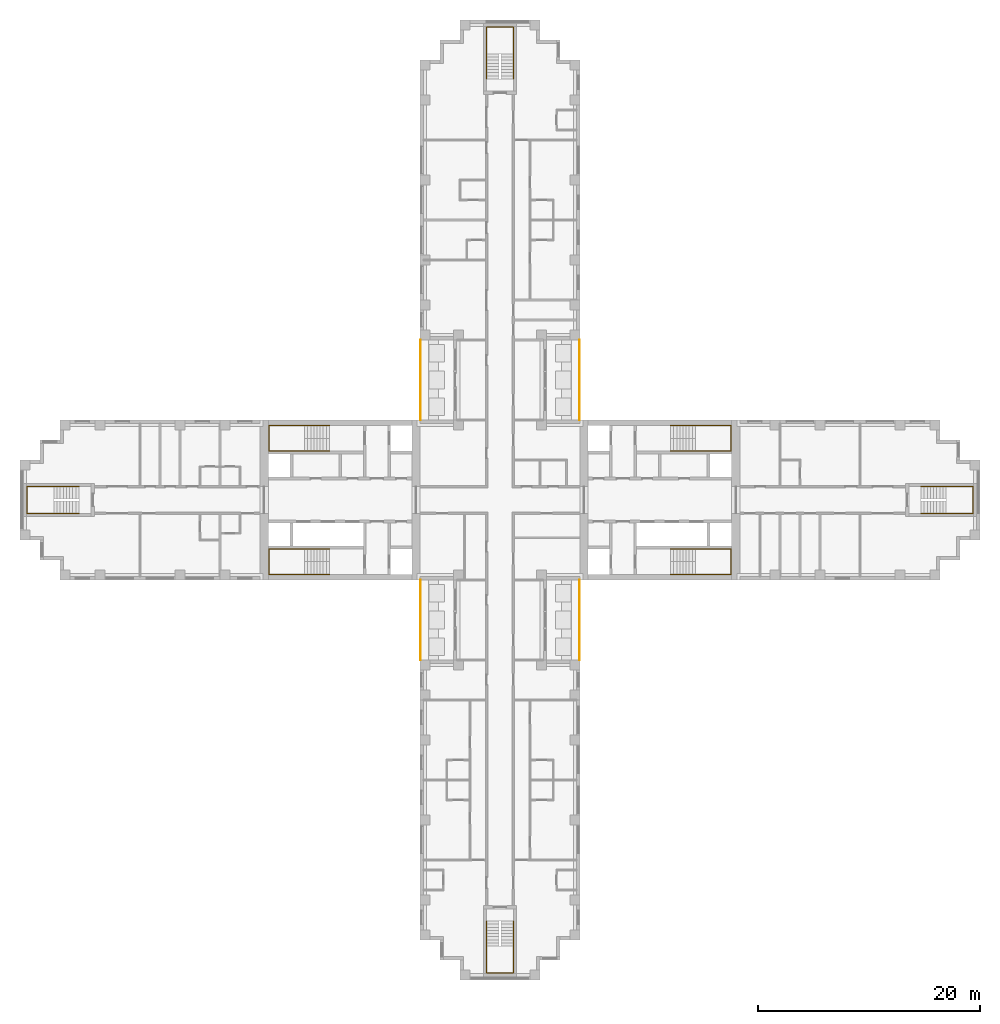
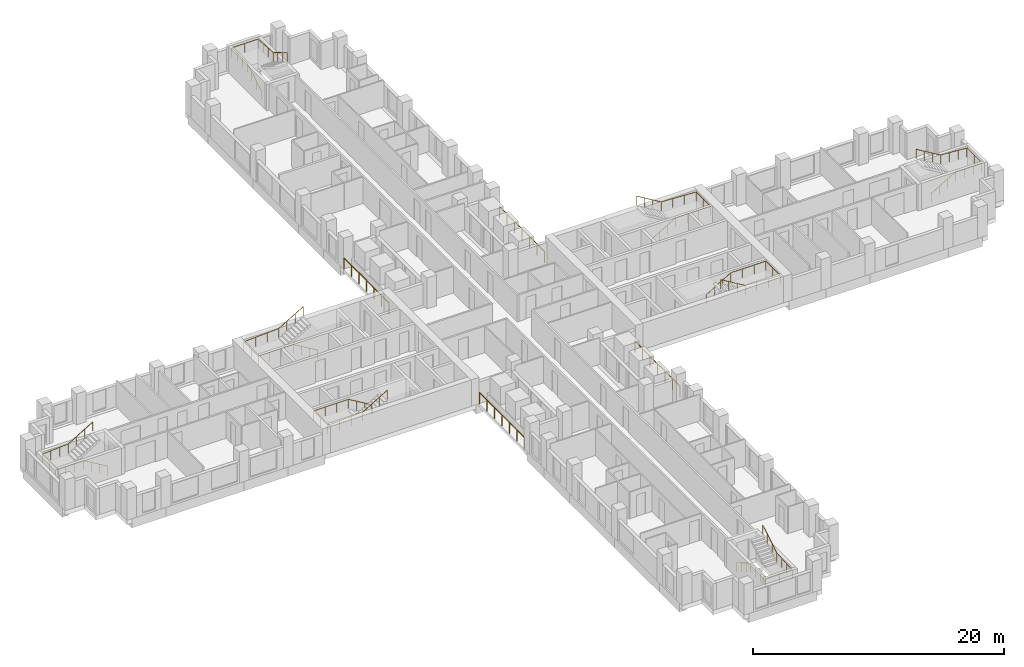
# One storey, part 14 of 15: 12 railings.
"""IFC4 building model written with IfcOpenShell, lengths in metres."""

from ifc_helpers import new_model, si_unit, direction, frame, origin, origin_2d, place, context, subcontext, project, spatial, circle, extrude, material, type_object, element, save


model = new_model("IFC4")

# Units and contexts
model_context = context("Model", 3, precision=1e-05, world=origin(), true_north=direction((0.0, 1.0)))
body_context = subcontext(model_context, "Body", "Model", "MODEL_VIEW")
ifc_project = project(units=[si_unit("LENGTHUNIT", "METRE"), si_unit("AREAUNIT", "SQUARE_METRE"), si_unit("VOLUMEUNIT", "CUBIC_METRE"), si_unit("PLANEANGLEUNIT", "RADIAN"), si_unit("MASSUNIT", "GRAM", prefix="KILO")], contexts=[model_context])

# Site, building, storey
site_placement = place(None, origin())
site = spatial("IfcSite", under=ifc_project, at=site_placement, CompositionType="ELEMENT")
building_placement = place(site_placement, origin())
building = spatial("IfcBuilding", under=site, at=building_placement, Name="Fustian Cross Tower", CompositionType="ELEMENT")
storey_placement = place(building_placement, frame((0.0, 0.0, 47.699951171875)))
storey = spatial("IfcBuildingStorey", under=building, at=storey_placement, Name="L14", CompositionType="ELEMENT", Elevation=47.699951171875)

# Railings
ifc_material_1 = material(Name="Stainless steel and glass", Category="steel")
railing_type_1 = type_object("IfcRailingType", Name="GR1 BALCONY GUARD 1100", PredefinedType="GUARDRAIL", material=ifc_material_1)
for number, where, name in (
    (1, (7.14990234375, 7.199951171875, 0.0), "Balcony guard"),
    (2, (-7.14990234375, 7.199951171875, 0.0), "Balcony guard"),
    (3, (7.14990234375, -14.39990234375, 0.0), "Balcony guard"),
    (4, (-7.14990234375, -14.39990234375, 0.0), "Balcony guard"),
):
    element("IfcRailing", number, at=place(storey_placement, frame(where)), inside=storey, type_object=railing_type_1, Name=name, PredefinedType="GUARDRAIL", context=body_context, shape_type="SweptSolid", body=[
        extrude(circle(Radius=0.02392578125, at=origin_2d()), frame((0.0, 0.0, 1.076171875), z_axis=(0.0, 1.0, 0.0), x_axis=(-1.0, 0.0, 0.0)), (0.0, 0.0, 1.0), 7.199951171875),
        extrude(circle(Radius=0.02099609375, at=origin_2d()), origin(), (0.0, 0.0, 1.0), 1.052001953125),
        extrude(circle(Radius=0.02099609375, at=origin_2d()), frame((0.0, 1.199951171875, 0.0)), (0.0, 0.0, 1.0), 1.052001953125),
        extrude(circle(Radius=0.02099609375, at=origin_2d()), frame((0.0, 2.39990234375, 0.0)), (0.0, 0.0, 1.0), 1.052001953125),
        extrude(circle(Radius=0.02099609375, at=origin_2d()), frame((0.0, 3.60009765625, 0.0)), (0.0, 0.0, 1.0), 1.052001953125),
        extrude(circle(Radius=0.02099609375, at=origin_2d()), frame((0.0, 4.800048828125, 0.0)), (0.0, 0.0, 1.0), 1.052001953125),
        extrude(circle(Radius=0.02099609375, at=origin_2d()), frame((0.0, 6.0, 0.0)), (0.0, 0.0, 1.0), 1.052001953125),
        extrude(circle(Radius=0.02099609375, at=origin_2d()), frame((0.0, 7.199951171875, 0.0)), (0.0, 0.0, 1.0), 1.052001953125),
    ])
ifc_material_2 = material(Name="Stainless steel", Category="steel")
railing_type_2 = type_object("IfcRailingType", Name="STAIR HANDRAIL", PredefinedType="HANDRAIL", material=ifc_material_2)
railing_1_placement = place(storey_placement, frame((15.35009765625, 4.39990234375, 0.166748046875)))
element("IfcRailing", 5, at=railing_1_placement, inside=storey, type_object=railing_type_2, Name="Stair ST1 handrail 1", PredefinedType="HANDRAIL", context=body_context, shape_type="SweptSolid", body=[
    extrude(circle(Radius=0.02490234375, at=origin_2d()), frame((0.0, 0.0, 0.875), z_axis=(0.859305625298, 0.0, 0.511462454469), x_axis=(0.0, 1.0, 0.0)), (0.0, 0.0, 1.0), 2.606689453125),
    extrude(circle(Radius=0.02490234375, at=origin_2d()), frame((2.239990234375, 0.0, 2.2080078125), z_axis=(1.0, 0.0, 0.0), x_axis=(0.0, 1.0, 0.0)), (0.0, 0.0, 1.0), 3.219970703125),
    extrude(circle(Radius=0.02490234375, at=origin_2d()), frame((5.4599609375, 0.0, 2.2080078125), z_axis=(0.0, 1.0, 0.0), x_axis=(-1.0, 0.0, 0.0)), (0.0, 0.0, 1.0), 2.300048828125),
    extrude(circle(Radius=0.02490234375, at=origin_2d()), frame((5.4599609375, 2.300048828125, 2.2080078125), z_axis=(-0.998661817807, 0.0, 0.051716280352), x_axis=(0.0, -1.0, 0.0)), (0.0, 0.0, 1.0), 3.224365234375),
    extrude(circle(Radius=0.02490234375, at=origin_2d()), frame((2.239990234375, 2.300048828125, 2.375), z_axis=(-0.859305625298, 0.0, 0.511462454469), x_axis=(0.0, -1.0, 0.0)), (0.0, 0.0, 1.0), 2.606689453125),
    extrude(circle(Radius=0.02001953125, at=origin_2d()), origin(), (0.0, 0.0, 1.0), 0.849853515625),
    extrude(circle(Radius=0.02001953125, at=origin_2d()), frame((0.74658203125, 0.0, 0.4443359375)), (0.0, 0.0, 1.0), 0.849853515625),
    extrude(circle(Radius=0.02001953125, at=origin_2d()), frame((1.493408203125, 0.0, 0.888916015625)), (0.0, 0.0, 1.0), 0.849853515625),
    extrude(circle(Radius=0.02001953125, at=origin_2d()), frame((2.239990234375, 0.0, 1.333251953125)), (0.0, 0.0, 1.0), 0.849853515625),
    extrude(circle(Radius=0.02001953125, at=origin_2d()), frame((3.313232421875, 0.0, 1.333251953125)), (0.0, 0.0, 1.0), 0.849853515625),
    extrude(circle(Radius=0.02001953125, at=origin_2d()), frame((4.38671875, 0.0, 1.333251953125)), (0.0, 0.0, 1.0), 0.849853515625),
    extrude(circle(Radius=0.02001953125, at=origin_2d()), frame((5.4599609375, 0.0, 1.333251953125)), (0.0, 0.0, 1.0), 0.849853515625),
    extrude(circle(Radius=0.02001953125, at=origin_2d()), frame((5.4599609375, 1.14990234375, 1.333251953125)), (0.0, 0.0, 1.0), 0.849853515625),
    extrude(circle(Radius=0.02001953125, at=origin_2d()), frame((5.4599609375, 2.300048828125, 1.333251953125)), (0.0, 0.0, 1.0), 0.849853515625),
    extrude(circle(Radius=0.02001953125, at=origin_2d()), frame((4.38671875, 2.300048828125, 1.388916015625)), (0.0, 0.0, 1.0), 0.849853515625),
    extrude(circle(Radius=0.02001953125, at=origin_2d()), frame((3.313232421875, 2.300048828125, 1.4443359375)), (0.0, 0.0, 1.0), 0.849853515625),
    extrude(circle(Radius=0.02001953125, at=origin_2d()), frame((2.239990234375, 2.300048828125, 1.5)), (0.0, 0.0, 1.0), 0.849853515625),
    extrude(circle(Radius=0.02001953125, at=origin_2d()), frame((1.493408203125, 2.300048828125, 1.9443359375)), (0.0, 0.0, 1.0), 0.849853515625),
    extrude(circle(Radius=0.02001953125, at=origin_2d()), frame((0.74658203125, 2.300048828125, 2.388916015625)), (0.0, 0.0, 1.0), 0.849853515625),
    extrude(circle(Radius=0.02001953125, at=origin_2d()), frame((0.0, 2.300048828125, 2.833251953125)), (0.0, 0.0, 1.0), 0.849853515625),
])
railing_2_placement = place(storey_placement, frame((15.35009765625, -4.39990234375, 0.166748046875)))
element("IfcRailing", 6, at=railing_2_placement, inside=storey, type_object=railing_type_2, Name="Stair ST2 handrail 1", PredefinedType="HANDRAIL", context=body_context, shape_type="SweptSolid", body=[
    extrude(circle(Radius=0.02490234375, at=origin_2d()), frame((0.0, 0.0, 0.875), z_axis=(0.859305625298, 0.0, 0.511462454469), x_axis=(0.0, 1.0, 0.0)), (0.0, 0.0, 1.0), 2.606689453125),
    extrude(circle(Radius=0.02490234375, at=origin_2d()), frame((2.239990234375, 0.0, 2.2080078125), z_axis=(1.0, 0.0, 0.0), x_axis=(0.0, 1.0, 0.0)), (0.0, 0.0, 1.0), 3.219970703125),
    extrude(circle(Radius=0.02490234375, at=origin_2d()), frame((5.4599609375, 0.0, 2.2080078125), z_axis=(0.0, -1.0, 0.0), x_axis=(1.0, 0.0, 0.0)), (0.0, 0.0, 1.0), 2.300048828125),
    extrude(circle(Radius=0.02490234375, at=origin_2d()), frame((5.4599609375, -2.300048828125, 2.2080078125), z_axis=(-0.998661817807, 0.0, 0.051716280352), x_axis=(0.0, -1.0, 0.0)), (0.0, 0.0, 1.0), 3.224365234375),
    extrude(circle(Radius=0.02490234375, at=origin_2d()), frame((2.239990234375, -2.300048828125, 2.375), z_axis=(-0.859305625298, 0.0, 0.511462454469), x_axis=(0.0, -1.0, 0.0)), (0.0, 0.0, 1.0), 2.606689453125),
    extrude(circle(Radius=0.02001953125, at=origin_2d()), origin(), (0.0, 0.0, 1.0), 0.849853515625),
    extrude(circle(Radius=0.02001953125, at=origin_2d()), frame((0.74658203125, 0.0, 0.4443359375)), (0.0, 0.0, 1.0), 0.849853515625),
    extrude(circle(Radius=0.02001953125, at=origin_2d()), frame((1.493408203125, 0.0, 0.888916015625)), (0.0, 0.0, 1.0), 0.849853515625),
    extrude(circle(Radius=0.02001953125, at=origin_2d()), frame((2.239990234375, 0.0, 1.333251953125)), (0.0, 0.0, 1.0), 0.849853515625),
    extrude(circle(Radius=0.02001953125, at=origin_2d()), frame((3.313232421875, 0.0, 1.333251953125)), (0.0, 0.0, 1.0), 0.849853515625),
    extrude(circle(Radius=0.02001953125, at=origin_2d()), frame((4.38671875, 0.0, 1.333251953125)), (0.0, 0.0, 1.0), 0.849853515625),
    extrude(circle(Radius=0.02001953125, at=origin_2d()), frame((5.4599609375, 0.0, 1.333251953125)), (0.0, 0.0, 1.0), 0.849853515625),
    extrude(circle(Radius=0.02001953125, at=origin_2d()), frame((5.4599609375, -1.14990234375, 1.333251953125)), (0.0, 0.0, 1.0), 0.849853515625),
    extrude(circle(Radius=0.02001953125, at=origin_2d()), frame((5.4599609375, -2.300048828125, 1.333251953125)), (0.0, 0.0, 1.0), 0.849853515625),
    extrude(circle(Radius=0.02001953125, at=origin_2d()), frame((4.38671875, -2.300048828125, 1.388916015625)), (0.0, 0.0, 1.0), 0.849853515625),
    extrude(circle(Radius=0.02001953125, at=origin_2d()), frame((3.313232421875, -2.300048828125, 1.4443359375)), (0.0, 0.0, 1.0), 0.849853515625),
    extrude(circle(Radius=0.02001953125, at=origin_2d()), frame((2.239990234375, -2.300048828125, 1.5)), (0.0, 0.0, 1.0), 0.849853515625),
    extrude(circle(Radius=0.02001953125, at=origin_2d()), frame((1.493408203125, -2.300048828125, 1.9443359375)), (0.0, 0.0, 1.0), 0.849853515625),
    extrude(circle(Radius=0.02001953125, at=origin_2d()), frame((0.74658203125, -2.300048828125, 2.388916015625)), (0.0, 0.0, 1.0), 0.849853515625),
    extrude(circle(Radius=0.02001953125, at=origin_2d()), frame((0.0, -2.300048828125, 2.833251953125)), (0.0, 0.0, 1.0), 0.849853515625),
])
railing_3_placement = place(storey_placement, frame((-15.35009765625, 4.39990234375, 0.166748046875)))
element("IfcRailing", 7, at=railing_3_placement, inside=storey, type_object=railing_type_2, Name="Stair ST3 handrail 1", PredefinedType="HANDRAIL", context=body_context, shape_type="SweptSolid", body=[
    extrude(circle(Radius=0.02490234375, at=origin_2d()), frame((0.0, 0.0, 0.875), z_axis=(-0.859305625298, 0.0, 0.511462454469), x_axis=(0.0, -1.0, 0.0)), (0.0, 0.0, 1.0), 2.606689453125),
    extrude(circle(Radius=0.02490234375, at=origin_2d()), frame((-2.239990234375, 0.0, 2.2080078125), z_axis=(-1.0, 0.0, 0.0), x_axis=(0.0, -1.0, 0.0)), (0.0, 0.0, 1.0), 3.219970703125),
    extrude(circle(Radius=0.02490234375, at=origin_2d()), frame((-5.4599609375, 0.0, 2.2080078125), z_axis=(0.0, 1.0, 0.0), x_axis=(-1.0, 0.0, 0.0)), (0.0, 0.0, 1.0), 2.300048828125),
    extrude(circle(Radius=0.02490234375, at=origin_2d()), frame((-5.4599609375, 2.300048828125, 2.2080078125), z_axis=(0.998661817807, 0.0, 0.051716280352), x_axis=(0.0, 1.0, 0.0)), (0.0, 0.0, 1.0), 3.224365234375),
    extrude(circle(Radius=0.02490234375, at=origin_2d()), frame((-2.239990234375, 2.300048828125, 2.375), z_axis=(0.859305625298, 0.0, 0.511462454469), x_axis=(0.0, 1.0, 0.0)), (0.0, 0.0, 1.0), 2.606689453125),
    extrude(circle(Radius=0.02001953125, at=origin_2d()), origin(), (0.0, 0.0, 1.0), 0.849853515625),
    extrude(circle(Radius=0.02001953125, at=origin_2d()), frame((-0.74658203125, 0.0, 0.4443359375)), (0.0, 0.0, 1.0), 0.849853515625),
    extrude(circle(Radius=0.02001953125, at=origin_2d()), frame((-1.493408203125, 0.0, 0.888916015625)), (0.0, 0.0, 1.0), 0.849853515625),
    extrude(circle(Radius=0.02001953125, at=origin_2d()), frame((-2.239990234375, 0.0, 1.333251953125)), (0.0, 0.0, 1.0), 0.849853515625),
    extrude(circle(Radius=0.02001953125, at=origin_2d()), frame((-3.313232421875, 0.0, 1.333251953125)), (0.0, 0.0, 1.0), 0.849853515625),
    extrude(circle(Radius=0.02001953125, at=origin_2d()), frame((-4.38671875, 0.0, 1.333251953125)), (0.0, 0.0, 1.0), 0.849853515625),
    extrude(circle(Radius=0.02001953125, at=origin_2d()), frame((-5.4599609375, 0.0, 1.333251953125)), (0.0, 0.0, 1.0), 0.849853515625),
    extrude(circle(Radius=0.02001953125, at=origin_2d()), frame((-5.4599609375, 1.14990234375, 1.333251953125)), (0.0, 0.0, 1.0), 0.849853515625),
    extrude(circle(Radius=0.02001953125, at=origin_2d()), frame((-5.4599609375, 2.300048828125, 1.333251953125)), (0.0, 0.0, 1.0), 0.849853515625),
    extrude(circle(Radius=0.02001953125, at=origin_2d()), frame((-4.38671875, 2.300048828125, 1.388916015625)), (0.0, 0.0, 1.0), 0.849853515625),
    extrude(circle(Radius=0.02001953125, at=origin_2d()), frame((-3.313232421875, 2.300048828125, 1.4443359375)), (0.0, 0.0, 1.0), 0.849853515625),
    extrude(circle(Radius=0.02001953125, at=origin_2d()), frame((-2.239990234375, 2.300048828125, 1.5)), (0.0, 0.0, 1.0), 0.849853515625),
    extrude(circle(Radius=0.02001953125, at=origin_2d()), frame((-1.493408203125, 2.300048828125, 1.9443359375)), (0.0, 0.0, 1.0), 0.849853515625),
    extrude(circle(Radius=0.02001953125, at=origin_2d()), frame((-0.74658203125, 2.300048828125, 2.388916015625)), (0.0, 0.0, 1.0), 0.849853515625),
    extrude(circle(Radius=0.02001953125, at=origin_2d()), frame((0.0, 2.300048828125, 2.833251953125)), (0.0, 0.0, 1.0), 0.849853515625),
])
railing_4_placement = place(storey_placement, frame((-15.35009765625, -4.39990234375, 0.166748046875)))
element("IfcRailing", 8, at=railing_4_placement, inside=storey, type_object=railing_type_2, Name="Stair ST4 handrail 1", PredefinedType="HANDRAIL", context=body_context, shape_type="SweptSolid", body=[
    extrude(circle(Radius=0.02490234375, at=origin_2d()), frame((0.0, 0.0, 0.875), z_axis=(-0.859305625298, 0.0, 0.511462454469), x_axis=(0.0, -1.0, 0.0)), (0.0, 0.0, 1.0), 2.606689453125),
    extrude(circle(Radius=0.02490234375, at=origin_2d()), frame((-2.239990234375, 0.0, 2.2080078125), z_axis=(-1.0, 0.0, 0.0), x_axis=(0.0, -1.0, 0.0)), (0.0, 0.0, 1.0), 3.219970703125),
    extrude(circle(Radius=0.02490234375, at=origin_2d()), frame((-5.4599609375, 0.0, 2.2080078125), z_axis=(0.0, -1.0, 0.0), x_axis=(1.0, 0.0, 0.0)), (0.0, 0.0, 1.0), 2.300048828125),
    extrude(circle(Radius=0.02490234375, at=origin_2d()), frame((-5.4599609375, -2.300048828125, 2.2080078125), z_axis=(0.998661817807, 0.0, 0.051716280352), x_axis=(0.0, 1.0, 0.0)), (0.0, 0.0, 1.0), 3.224365234375),
    extrude(circle(Radius=0.02490234375, at=origin_2d()), frame((-2.239990234375, -2.300048828125, 2.375), z_axis=(0.859305625298, 0.0, 0.511462454469), x_axis=(0.0, 1.0, 0.0)), (0.0, 0.0, 1.0), 2.606689453125),
    extrude(circle(Radius=0.02001953125, at=origin_2d()), origin(), (0.0, 0.0, 1.0), 0.849853515625),
    extrude(circle(Radius=0.02001953125, at=origin_2d()), frame((-0.74658203125, 0.0, 0.4443359375)), (0.0, 0.0, 1.0), 0.849853515625),
    extrude(circle(Radius=0.02001953125, at=origin_2d()), frame((-1.493408203125, 0.0, 0.888916015625)), (0.0, 0.0, 1.0), 0.849853515625),
    extrude(circle(Radius=0.02001953125, at=origin_2d()), frame((-2.239990234375, 0.0, 1.333251953125)), (0.0, 0.0, 1.0), 0.849853515625),
    extrude(circle(Radius=0.02001953125, at=origin_2d()), frame((-3.313232421875, 0.0, 1.333251953125)), (0.0, 0.0, 1.0), 0.849853515625),
    extrude(circle(Radius=0.02001953125, at=origin_2d()), frame((-4.38671875, 0.0, 1.333251953125)), (0.0, 0.0, 1.0), 0.849853515625),
    extrude(circle(Radius=0.02001953125, at=origin_2d()), frame((-5.4599609375, 0.0, 1.333251953125)), (0.0, 0.0, 1.0), 0.849853515625),
    extrude(circle(Radius=0.02001953125, at=origin_2d()), frame((-5.4599609375, -1.14990234375, 1.333251953125)), (0.0, 0.0, 1.0), 0.849853515625),
    extrude(circle(Radius=0.02001953125, at=origin_2d()), frame((-5.4599609375, -2.300048828125, 1.333251953125)), (0.0, 0.0, 1.0), 0.849853515625),
    extrude(circle(Radius=0.02001953125, at=origin_2d()), frame((-4.38671875, -2.300048828125, 1.388916015625)), (0.0, 0.0, 1.0), 0.849853515625),
    extrude(circle(Radius=0.02001953125, at=origin_2d()), frame((-3.313232421875, -2.300048828125, 1.4443359375)), (0.0, 0.0, 1.0), 0.849853515625),
    extrude(circle(Radius=0.02001953125, at=origin_2d()), frame((-2.239990234375, -2.300048828125, 1.5)), (0.0, 0.0, 1.0), 0.849853515625),
    extrude(circle(Radius=0.02001953125, at=origin_2d()), frame((-1.493408203125, -2.300048828125, 1.9443359375)), (0.0, 0.0, 1.0), 0.849853515625),
    extrude(circle(Radius=0.02001953125, at=origin_2d()), frame((-0.74658203125, -2.300048828125, 2.388916015625)), (0.0, 0.0, 1.0), 0.849853515625),
    extrude(circle(Radius=0.02001953125, at=origin_2d()), frame((0.0, -2.300048828125, 2.833251953125)), (0.0, 0.0, 1.0), 0.849853515625),
])
railing_5_placement = place(storey_placement, frame((-1.199951171875, 37.89990234375, 0.166748046875)))
element("IfcRailing", 9, at=railing_5_placement, inside=storey, type_object=railing_type_2, Name="Stair ST5 handrail 1", PredefinedType="HANDRAIL", context=body_context, shape_type="SweptSolid", body=[
    extrude(circle(Radius=0.02490234375, at=origin_2d()), frame((0.0, 0.0, 0.875), z_axis=(0.0, 0.859305625298, 0.511462454469), x_axis=(-1.0, 0.0, 0.0)), (0.0, 0.0, 1.0), 2.606689453125),
    extrude(circle(Radius=0.02490234375, at=origin_2d()), frame((0.0, 2.239990234375, 2.2080078125), z_axis=(0.0, 1.0, 0.0), x_axis=(-1.0, 0.0, 0.0)), (0.0, 0.0, 1.0), 2.420166015625),
    extrude(circle(Radius=0.02490234375, at=origin_2d()), frame((0.0, 4.66015625, 2.2080078125), z_axis=(1.0, 0.0, 0.0), x_axis=(0.0, 1.0, 0.0)), (0.0, 0.0, 1.0), 2.39990234375),
    extrude(circle(Radius=0.02490234375, at=origin_2d()), frame((2.39990234375, 4.66015625, 2.2080078125), z_axis=(0.0, -0.997634852044, 0.068736467663), x_axis=(1.0, 0.0, 0.0)), (0.0, 0.0, 1.0), 2.426025390625),
    extrude(circle(Radius=0.02490234375, at=origin_2d()), frame((2.39990234375, 2.239990234375, 2.375), z_axis=(0.0, -0.859305625298, 0.511462454469), x_axis=(1.0, 0.0, 0.0)), (0.0, 0.0, 1.0), 2.606689453125),
    extrude(circle(Radius=0.02001953125, at=origin_2d()), origin(), (0.0, 0.0, 1.0), 0.849853515625),
    extrude(circle(Radius=0.02001953125, at=origin_2d()), frame((0.0, 0.74658203125, 0.4443359375)), (0.0, 0.0, 1.0), 0.849853515625),
    extrude(circle(Radius=0.02001953125, at=origin_2d()), frame((0.0, 1.493408203125, 0.888916015625)), (0.0, 0.0, 1.0), 0.849853515625),
    extrude(circle(Radius=0.02001953125, at=origin_2d()), frame((0.0, 2.239990234375, 1.333251953125)), (0.0, 0.0, 1.0), 0.849853515625),
    extrude(circle(Radius=0.02001953125, at=origin_2d()), frame((0.0, 3.046630859375, 1.333251953125)), (0.0, 0.0, 1.0), 0.849853515625),
    extrude(circle(Radius=0.02001953125, at=origin_2d()), frame((0.0, 3.853515625, 1.333251953125)), (0.0, 0.0, 1.0), 0.849853515625),
    extrude(circle(Radius=0.02001953125, at=origin_2d()), frame((0.0, 4.66015625, 1.333251953125)), (0.0, 0.0, 1.0), 0.849853515625),
    extrude(circle(Radius=0.02001953125, at=origin_2d()), frame((1.199951171875, 4.66015625, 1.333251953125)), (0.0, 0.0, 1.0), 0.849853515625),
    extrude(circle(Radius=0.02001953125, at=origin_2d()), frame((2.39990234375, 4.66015625, 1.333251953125)), (0.0, 0.0, 1.0), 0.849853515625),
    extrude(circle(Radius=0.02001953125, at=origin_2d()), frame((2.39990234375, 3.853515625, 1.388916015625)), (0.0, 0.0, 1.0), 0.849853515625),
    extrude(circle(Radius=0.02001953125, at=origin_2d()), frame((2.39990234375, 3.046630859375, 1.4443359375)), (0.0, 0.0, 1.0), 0.849853515625),
    extrude(circle(Radius=0.02001953125, at=origin_2d()), frame((2.39990234375, 2.239990234375, 1.5)), (0.0, 0.0, 1.0), 0.849853515625),
    extrude(circle(Radius=0.02001953125, at=origin_2d()), frame((2.39990234375, 1.493408203125, 1.9443359375)), (0.0, 0.0, 1.0), 0.849853515625),
    extrude(circle(Radius=0.02001953125, at=origin_2d()), frame((2.39990234375, 0.74658203125, 2.388916015625)), (0.0, 0.0, 1.0), 0.849853515625),
    extrude(circle(Radius=0.02001953125, at=origin_2d()), frame((2.39990234375, 0.0, 2.833251953125)), (0.0, 0.0, 1.0), 0.849853515625),
])
railing_6_placement = place(storey_placement, frame((-1.199951171875, -37.89990234375, 0.166748046875)))
element("IfcRailing", 10, at=railing_6_placement, inside=storey, type_object=railing_type_2, Name="Stair ST6 handrail 1", PredefinedType="HANDRAIL", context=body_context, shape_type="SweptSolid", body=[
    extrude(circle(Radius=0.02490234375, at=origin_2d()), frame((0.0, 0.0, 0.875), z_axis=(0.0, -0.859305625298, 0.511462454469), x_axis=(1.0, 0.0, 0.0)), (0.0, 0.0, 1.0), 2.606689453125),
    extrude(circle(Radius=0.02490234375, at=origin_2d()), frame((0.0, -2.239990234375, 2.2080078125), z_axis=(0.0, -1.0, 0.0), x_axis=(1.0, 0.0, 0.0)), (0.0, 0.0, 1.0), 2.420166015625),
    extrude(circle(Radius=0.02490234375, at=origin_2d()), frame((0.0, -4.66015625, 2.2080078125), z_axis=(1.0, 0.0, 0.0), x_axis=(0.0, 1.0, 0.0)), (0.0, 0.0, 1.0), 2.39990234375),
    extrude(circle(Radius=0.02490234375, at=origin_2d()), frame((2.39990234375, -4.66015625, 2.2080078125), z_axis=(0.0, 0.997634852044, 0.068736467663), x_axis=(-1.0, 0.0, 0.0)), (0.0, 0.0, 1.0), 2.426025390625),
    extrude(circle(Radius=0.02490234375, at=origin_2d()), frame((2.39990234375, -2.239990234375, 2.375), z_axis=(0.0, 0.859305625298, 0.511462454469), x_axis=(-1.0, 0.0, 0.0)), (0.0, 0.0, 1.0), 2.606689453125),
    extrude(circle(Radius=0.02001953125, at=origin_2d()), origin(), (0.0, 0.0, 1.0), 0.849853515625),
    extrude(circle(Radius=0.02001953125, at=origin_2d()), frame((0.0, -0.74658203125, 0.4443359375)), (0.0, 0.0, 1.0), 0.849853515625),
    extrude(circle(Radius=0.02001953125, at=origin_2d()), frame((0.0, -1.493408203125, 0.888916015625)), (0.0, 0.0, 1.0), 0.849853515625),
    extrude(circle(Radius=0.02001953125, at=origin_2d()), frame((0.0, -2.239990234375, 1.333251953125)), (0.0, 0.0, 1.0), 0.849853515625),
    extrude(circle(Radius=0.02001953125, at=origin_2d()), frame((0.0, -3.046630859375, 1.333251953125)), (0.0, 0.0, 1.0), 0.849853515625),
    extrude(circle(Radius=0.02001953125, at=origin_2d()), frame((0.0, -3.853515625, 1.333251953125)), (0.0, 0.0, 1.0), 0.849853515625),
    extrude(circle(Radius=0.02001953125, at=origin_2d()), frame((0.0, -4.66015625, 1.333251953125)), (0.0, 0.0, 1.0), 0.849853515625),
    extrude(circle(Radius=0.02001953125, at=origin_2d()), frame((1.199951171875, -4.66015625, 1.333251953125)), (0.0, 0.0, 1.0), 0.849853515625),
    extrude(circle(Radius=0.02001953125, at=origin_2d()), frame((2.39990234375, -4.66015625, 1.333251953125)), (0.0, 0.0, 1.0), 0.849853515625),
    extrude(circle(Radius=0.02001953125, at=origin_2d()), frame((2.39990234375, -3.853515625, 1.388916015625)), (0.0, 0.0, 1.0), 0.849853515625),
    extrude(circle(Radius=0.02001953125, at=origin_2d()), frame((2.39990234375, -3.046630859375, 1.4443359375)), (0.0, 0.0, 1.0), 0.849853515625),
    extrude(circle(Radius=0.02001953125, at=origin_2d()), frame((2.39990234375, -2.239990234375, 1.5)), (0.0, 0.0, 1.0), 0.849853515625),
    extrude(circle(Radius=0.02001953125, at=origin_2d()), frame((2.39990234375, -1.493408203125, 1.9443359375)), (0.0, 0.0, 1.0), 0.849853515625),
    extrude(circle(Radius=0.02001953125, at=origin_2d()), frame((2.39990234375, -0.74658203125, 2.388916015625)), (0.0, 0.0, 1.0), 0.849853515625),
    extrude(circle(Radius=0.02001953125, at=origin_2d()), frame((2.39990234375, 0.0, 2.833251953125)), (0.0, 0.0, 1.0), 0.849853515625),
])
railing_7_placement = place(storey_placement, frame((37.89990234375, -1.199951171875, 0.166748046875)))
element("IfcRailing", 11, at=railing_7_placement, inside=storey, type_object=railing_type_2, Name="Stair ST8 handrail 1", PredefinedType="HANDRAIL", context=body_context, shape_type="SweptSolid", body=[
    extrude(circle(Radius=0.02490234375, at=origin_2d()), frame((0.0, 0.0, 0.875), z_axis=(0.859305625298, 0.0, 0.511462454469), x_axis=(0.0, 1.0, 0.0)), (0.0, 0.0, 1.0), 2.606689453125),
    extrude(circle(Radius=0.02490234375, at=origin_2d()), frame((2.239990234375, 0.0, 2.2080078125), z_axis=(1.0, 0.0, 0.0), x_axis=(0.0, 1.0, 0.0)), (0.0, 0.0, 1.0), 2.420166015625),
    extrude(circle(Radius=0.02490234375, at=origin_2d()), frame((4.66015625, 0.0, 2.2080078125), z_axis=(0.0, 1.0, 0.0), x_axis=(-1.0, 0.0, 0.0)), (0.0, 0.0, 1.0), 2.39990234375),
    extrude(circle(Radius=0.02490234375, at=origin_2d()), frame((4.66015625, 2.39990234375, 2.2080078125), z_axis=(-0.997634852044, 0.0, 0.068736467663), x_axis=(0.0, -1.0, 0.0)), (0.0, 0.0, 1.0), 2.426025390625),
    extrude(circle(Radius=0.02490234375, at=origin_2d()), frame((2.239990234375, 2.39990234375, 2.375), z_axis=(-0.859305625298, 0.0, 0.511462454469), x_axis=(0.0, -1.0, 0.0)), (0.0, 0.0, 1.0), 2.606689453125),
    extrude(circle(Radius=0.02001953125, at=origin_2d()), origin(), (0.0, 0.0, 1.0), 0.849853515625),
    extrude(circle(Radius=0.02001953125, at=origin_2d()), frame((0.74658203125, 0.0, 0.4443359375)), (0.0, 0.0, 1.0), 0.849853515625),
    extrude(circle(Radius=0.02001953125, at=origin_2d()), frame((1.493408203125, 0.0, 0.888916015625)), (0.0, 0.0, 1.0), 0.849853515625),
    extrude(circle(Radius=0.02001953125, at=origin_2d()), frame((2.239990234375, 0.0, 1.333251953125)), (0.0, 0.0, 1.0), 0.849853515625),
    extrude(circle(Radius=0.02001953125, at=origin_2d()), frame((3.046630859375, 0.0, 1.333251953125)), (0.0, 0.0, 1.0), 0.849853515625),
    extrude(circle(Radius=0.02001953125, at=origin_2d()), frame((3.853515625, 0.0, 1.333251953125)), (0.0, 0.0, 1.0), 0.849853515625),
    extrude(circle(Radius=0.02001953125, at=origin_2d()), frame((4.66015625, 0.0, 1.333251953125)), (0.0, 0.0, 1.0), 0.849853515625),
    extrude(circle(Radius=0.02001953125, at=origin_2d()), frame((4.66015625, 1.199951171875, 1.333251953125)), (0.0, 0.0, 1.0), 0.849853515625),
    extrude(circle(Radius=0.02001953125, at=origin_2d()), frame((4.66015625, 2.39990234375, 1.333251953125)), (0.0, 0.0, 1.0), 0.849853515625),
    extrude(circle(Radius=0.02001953125, at=origin_2d()), frame((3.853515625, 2.39990234375, 1.388916015625)), (0.0, 0.0, 1.0), 0.849853515625),
    extrude(circle(Radius=0.02001953125, at=origin_2d()), frame((3.046630859375, 2.39990234375, 1.4443359375)), (0.0, 0.0, 1.0), 0.849853515625),
    extrude(circle(Radius=0.02001953125, at=origin_2d()), frame((2.239990234375, 2.39990234375, 1.5)), (0.0, 0.0, 1.0), 0.849853515625),
    extrude(circle(Radius=0.02001953125, at=origin_2d()), frame((1.493408203125, 2.39990234375, 1.9443359375)), (0.0, 0.0, 1.0), 0.849853515625),
    extrude(circle(Radius=0.02001953125, at=origin_2d()), frame((0.74658203125, 2.39990234375, 2.388916015625)), (0.0, 0.0, 1.0), 0.849853515625),
    extrude(circle(Radius=0.02001953125, at=origin_2d()), frame((0.0, 2.39990234375, 2.833251953125)), (0.0, 0.0, 1.0), 0.849853515625),
])
railing_8_placement = place(storey_placement, frame((-37.89990234375, -1.199951171875, 0.166748046875)))
element("IfcRailing", 12, at=railing_8_placement, inside=storey, type_object=railing_type_2, Name="Stair ST9 handrail 1", PredefinedType="HANDRAIL", context=body_context, shape_type="SweptSolid", body=[
    extrude(circle(Radius=0.02490234375, at=origin_2d()), frame((0.0, 0.0, 0.875), z_axis=(-0.859305625298, 0.0, 0.511462454469), x_axis=(0.0, -1.0, 0.0)), (0.0, 0.0, 1.0), 2.606689453125),
    extrude(circle(Radius=0.02490234375, at=origin_2d()), frame((-2.239990234375, 0.0, 2.2080078125), z_axis=(-1.0, 0.0, 0.0), x_axis=(0.0, -1.0, 0.0)), (0.0, 0.0, 1.0), 2.420166015625),
    extrude(circle(Radius=0.02490234375, at=origin_2d()), frame((-4.66015625, 0.0, 2.2080078125), z_axis=(0.0, 1.0, 0.0), x_axis=(-1.0, 0.0, 0.0)), (0.0, 0.0, 1.0), 2.39990234375),
    extrude(circle(Radius=0.02490234375, at=origin_2d()), frame((-4.66015625, 2.39990234375, 2.2080078125), z_axis=(0.997634852044, 0.0, 0.068736467663), x_axis=(0.0, 1.0, 0.0)), (0.0, 0.0, 1.0), 2.426025390625),
    extrude(circle(Radius=0.02490234375, at=origin_2d()), frame((-2.239990234375, 2.39990234375, 2.375), z_axis=(0.859305625298, 0.0, 0.511462454469), x_axis=(0.0, 1.0, 0.0)), (0.0, 0.0, 1.0), 2.606689453125),
    extrude(circle(Radius=0.02001953125, at=origin_2d()), origin(), (0.0, 0.0, 1.0), 0.849853515625),
    extrude(circle(Radius=0.02001953125, at=origin_2d()), frame((-0.74658203125, 0.0, 0.4443359375)), (0.0, 0.0, 1.0), 0.849853515625),
    extrude(circle(Radius=0.02001953125, at=origin_2d()), frame((-1.493408203125, 0.0, 0.888916015625)), (0.0, 0.0, 1.0), 0.849853515625),
    extrude(circle(Radius=0.02001953125, at=origin_2d()), frame((-2.239990234375, 0.0, 1.333251953125)), (0.0, 0.0, 1.0), 0.849853515625),
    extrude(circle(Radius=0.02001953125, at=origin_2d()), frame((-3.046630859375, 0.0, 1.333251953125)), (0.0, 0.0, 1.0), 0.849853515625),
    extrude(circle(Radius=0.02001953125, at=origin_2d()), frame((-3.853515625, 0.0, 1.333251953125)), (0.0, 0.0, 1.0), 0.849853515625),
    extrude(circle(Radius=0.02001953125, at=origin_2d()), frame((-4.66015625, 0.0, 1.333251953125)), (0.0, 0.0, 1.0), 0.849853515625),
    extrude(circle(Radius=0.02001953125, at=origin_2d()), frame((-4.66015625, 1.199951171875, 1.333251953125)), (0.0, 0.0, 1.0), 0.849853515625),
    extrude(circle(Radius=0.02001953125, at=origin_2d()), frame((-4.66015625, 2.39990234375, 1.333251953125)), (0.0, 0.0, 1.0), 0.849853515625),
    extrude(circle(Radius=0.02001953125, at=origin_2d()), frame((-3.853515625, 2.39990234375, 1.388916015625)), (0.0, 0.0, 1.0), 0.849853515625),
    extrude(circle(Radius=0.02001953125, at=origin_2d()), frame((-3.046630859375, 2.39990234375, 1.4443359375)), (0.0, 0.0, 1.0), 0.849853515625),
    extrude(circle(Radius=0.02001953125, at=origin_2d()), frame((-2.239990234375, 2.39990234375, 1.5)), (0.0, 0.0, 1.0), 0.849853515625),
    extrude(circle(Radius=0.02001953125, at=origin_2d()), frame((-1.493408203125, 2.39990234375, 1.9443359375)), (0.0, 0.0, 1.0), 0.849853515625),
    extrude(circle(Radius=0.02001953125, at=origin_2d()), frame((-0.74658203125, 2.39990234375, 2.388916015625)), (0.0, 0.0, 1.0), 0.849853515625),
    extrude(circle(Radius=0.02001953125, at=origin_2d()), frame((0.0, 2.39990234375, 2.833251953125)), (0.0, 0.0, 1.0), 0.849853515625),
])

save(model, "model.ifc")
